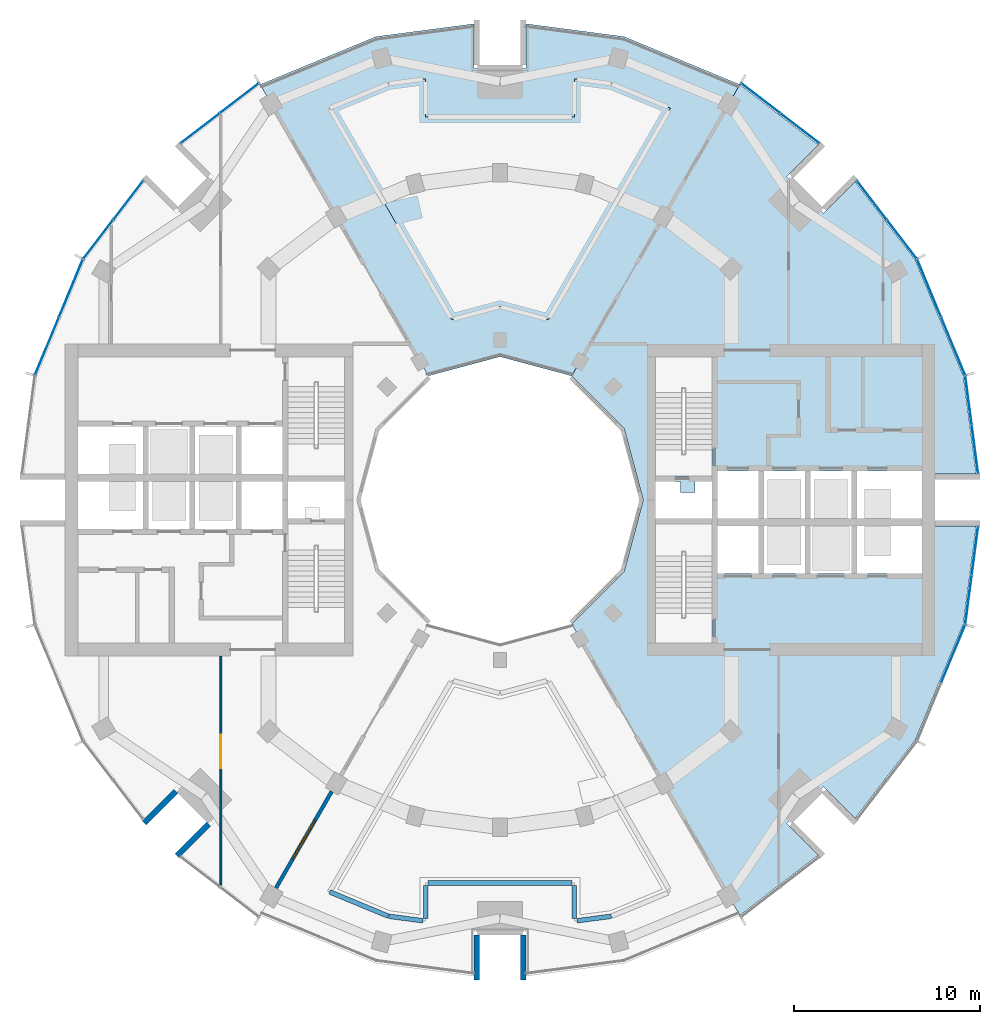
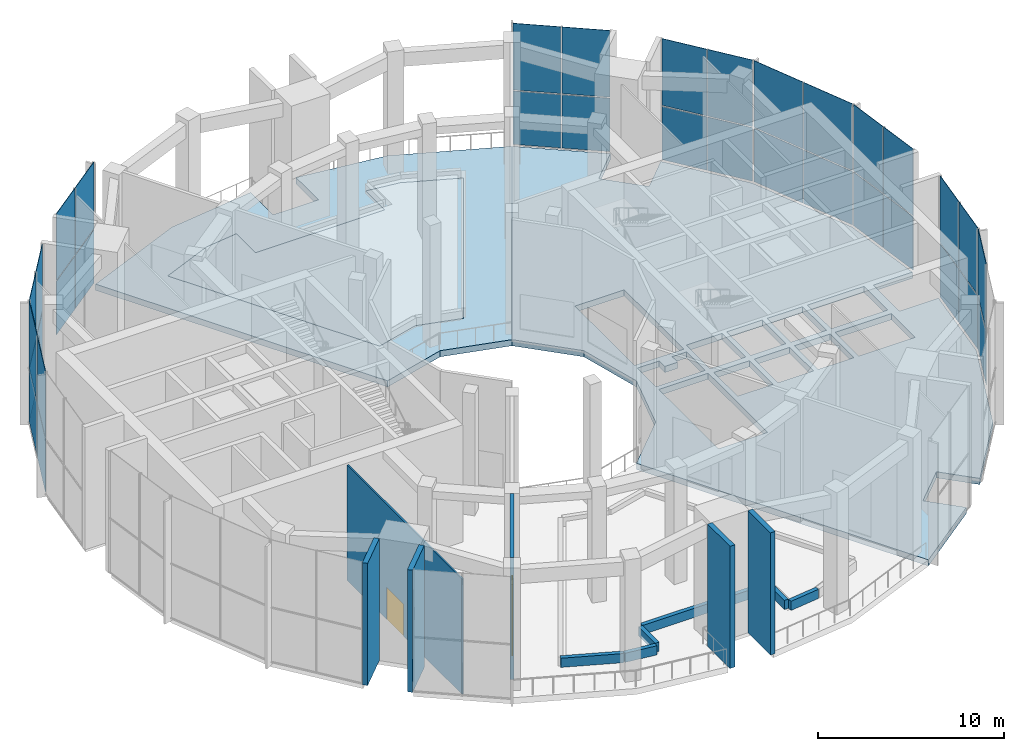
# One storey, part 10 of 18: 34 plates, 12 walls, 3 slabs, 1 door, 1 window, 2 openings, 9 elements without a shape of their own.
"""IFC4 building model written with IfcOpenShell, lengths in metres."""

from ifc_helpers import new_model, si_unit, direction, frame, frame_2d, origin, origin_2d, place, context, subcontext, project, spatial, polyline, rectangle, outline, extrude, material, layer, layer_set, type_object, element, fill, aggregate, save


model = new_model("IFC4")

# Units and contexts
model_context = context("Model", 3, precision=1e-05, world=origin(), true_north=direction((0.0, 1.0)))
body_context = subcontext(model_context, "Body", "Model", "MODEL_VIEW")
ifc_project = project(units=[si_unit("LENGTHUNIT", "METRE"), si_unit("AREAUNIT", "SQUARE_METRE"), si_unit("VOLUMEUNIT", "CUBIC_METRE"), si_unit("PLANEANGLEUNIT", "RADIAN"), si_unit("MASSUNIT", "GRAM", prefix="KILO")], contexts=[model_context])

# Site, building, storey
site_placement = place(None, origin())
site = spatial("IfcSite", under=ifc_project, at=site_placement, CompositionType="ELEMENT")
building_placement = place(site_placement, origin())
building = spatial("IfcBuilding", under=site, at=building_placement, Name="Torre Brocal", CompositionType="ELEMENT")
storey_placement = place(building_placement, frame((0.0, 0.0, 149.699951171875)))
storey = spatial("IfcBuildingStorey", under=building, at=storey_placement, Name="L35", CompositionType="ELEMENT", Elevation=149.699951171875)

# Curtain wall, plates
ifc_material_1 = material(Name="Aluminium and glass", Category="aluminium")
ifc_layer_1 = layer(ifc_material_1, 0.199951171875)
ifc_layer_set_1 = layer_set([ifc_layer_1], Name="Aluminium and glass")
curtain_wall_type = type_object("IfcCurtainWallType", Name="CW-4 CURTAIN WALL 8000 HIGH", PredefinedType="NOTDEFINED", material=ifc_layer_set_1)
curtain_wall_1_placement = place(storey_placement, origin())
curtain_wall_1 = element("IfcCurtainWall", 1, at=curtain_wall_1_placement, inside=storey, type_object=curtain_wall_type, Name="CW-4 RUN 1", PredefinedType="NOTDEFINED")
ifc_material_2 = material(Name="Glass, dark tinted laminated", Category="glass")
ifc_layer_2 = layer(ifc_material_2, 0.030029296875)
ifc_layer_set_2 = layer_set([ifc_layer_2], Name="Glass, dark tinted laminated")
plate_type = type_object("IfcPlateType", Name="CW-4 GLASS PANEL 30", PredefinedType="CURTAIN_PANEL", material=ifc_layer_set_2)
plate_1_placement = place(storey_placement, frame((105.53857421875, 77.73828125, 0.070068359375), z_axis=(0.0, 0.0, 1.0), x_axis=(-0.13052619222, 0.991444861374, 0.0)))
plate_1 = element("IfcPlate", 2, at=plate_1_placement, type_object=plate_type, Name="CW4-1 panel 1.1", PredefinedType="CURTAIN_PANEL", context=body_context, shape_type="SweptSolid", body=[
    extrude(rectangle(XDim=2.599365234375, YDim=0.030029296875, at=origin_2d()), origin(), (0.0, 0.0, 1.0), 3.4951171875),
])
plate_2_placement = place(storey_placement, frame((105.53857421875, 77.73828125, 3.63525390625), z_axis=(0.0, 0.0, 1.0), x_axis=(-0.13052619222, 0.991444861374, 0.0)))
plate_2 = element("IfcPlate", 3, at=plate_2_placement, type_object=plate_type, Name="CW4-1 panel 1.2", PredefinedType="CURTAIN_PANEL", context=body_context, shape_type="SweptSolid", body=[
    extrude(rectangle(XDim=2.599365234375, YDim=0.030029296875, at=origin_2d()), origin(), (0.0, 0.0, 1.0), 4.364990234375),
])
plate_3_placement = place(storey_placement, frame((105.19287109375, 80.364990234375, 0.070068359375), z_axis=(0.0, 0.0, 1.0), x_axis=(-0.13052619222, 0.991444861374, 0.0)))
plate_3 = element("IfcPlate", 4, at=plate_3_placement, type_object=plate_type, Name="CW4-1 panel 2.1", PredefinedType="CURTAIN_PANEL", context=body_context, shape_type="SweptSolid", body=[
    extrude(rectangle(XDim=2.599365234375, YDim=0.030029296875, at=origin_2d()), origin(), (0.0, 0.0, 1.0), 3.4951171875),
])
plate_4_placement = place(storey_placement, frame((105.19287109375, 80.364990234375, 3.63525390625), z_axis=(0.0, 0.0, 1.0), x_axis=(-0.13052619222, 0.991444861374, 0.0)))
plate_4 = element("IfcPlate", 5, at=plate_4_placement, type_object=plate_type, Name="CW4-1 panel 2.2", PredefinedType="CURTAIN_PANEL", context=body_context, shape_type="SweptSolid", body=[
    extrude(rectangle(XDim=2.599365234375, YDim=0.030029296875, at=origin_2d()), origin(), (0.0, 0.0, 1.0), 4.364990234375),
])
aggregate(curtain_wall_1, [plate_1, plate_2, plate_3, plate_4])

curtain_wall_2_placement = place(storey_placement, origin())
curtain_wall_2 = element("IfcCurtainWall", 6, at=curtain_wall_2_placement, inside=storey, type_object=curtain_wall_type, Name="CW-4 RUN 2", PredefinedType="NOTDEFINED")
plate_5_placement = place(storey_placement, frame((104.364990234375, 83.2763671875, 0.070068359375), z_axis=(0.0, 0.0, 1.0), x_axis=(-0.382683432333, 0.923879532525, 0.0)))
plate_5 = element("IfcPlate", 7, at=plate_5_placement, type_object=plate_type, Name="CW4-1 panel 1.1", PredefinedType="CURTAIN_PANEL", context=body_context, shape_type="SweptSolid", body=[
    extrude(rectangle(XDim=3.305419921875, YDim=0.030029296875, at=origin_2d()), origin(), (0.0, 0.0, 1.0), 3.4951171875),
])
plate_6_placement = place(storey_placement, frame((104.364990234375, 83.2763671875, 3.63525390625), z_axis=(0.0, 0.0, 1.0), x_axis=(-0.382683432333, 0.923879532525, 0.0)))
plate_6 = element("IfcPlate", 8, at=plate_6_placement, type_object=plate_type, Name="CW4-1 panel 1.2", PredefinedType="CURTAIN_PANEL", context=body_context, shape_type="SweptSolid", body=[
    extrude(rectangle(XDim=3.305419921875, YDim=0.030029296875, at=origin_2d()), origin(), (0.0, 0.0, 1.0), 4.364990234375),
])
plate_7_placement = place(storey_placement, frame((103.080810546875, 86.37646484375, 0.070068359375), z_axis=(0.0, 0.0, 1.0), x_axis=(-0.382683432333, 0.923879532525, 0.0)))
plate_7 = element("IfcPlate", 9, at=plate_7_placement, type_object=plate_type, Name="CW4-1 panel 2.1", PredefinedType="CURTAIN_PANEL", context=body_context, shape_type="SweptSolid", body=[
    extrude(rectangle(XDim=3.305419921875, YDim=0.030029296875, at=origin_2d()), origin(), (0.0, 0.0, 1.0), 3.4951171875),
])
plate_8_placement = place(storey_placement, frame((103.080810546875, 86.37646484375, 3.63525390625), z_axis=(0.0, 0.0, 1.0), x_axis=(-0.382683432333, 0.923879532525, 0.0)))
plate_8 = element("IfcPlate", 10, at=plate_8_placement, type_object=plate_type, Name="CW4-1 panel 2.2", PredefinedType="CURTAIN_PANEL", context=body_context, shape_type="SweptSolid", body=[
    extrude(rectangle(XDim=3.305419921875, YDim=0.030029296875, at=origin_2d()), origin(), (0.0, 0.0, 1.0), 4.364990234375),
])
aggregate(curtain_wall_2, [plate_5, plate_6, plate_7, plate_8])

curtain_wall_3_placement = place(storey_placement, origin())
curtain_wall_3 = element("IfcCurtainWall", 11, at=curtain_wall_3_placement, inside=storey, type_object=curtain_wall_type, Name="CW-4 RUN 3", PredefinedType="NOTDEFINED")
plate_9_placement = place(storey_placement, frame((101.607666015625, 89.0205078125, 0.070068359375), z_axis=(0.0, 0.0, 1.0), x_axis=(-0.60876142905, 0.793353340259, 0.0)))
plate_9 = element("IfcPlate", 12, at=plate_9_placement, type_object=plate_type, Name="CW4-1 panel 1.1", PredefinedType="CURTAIN_PANEL", context=body_context, shape_type="SweptSolid", body=[
    extrude(rectangle(XDim=2.599365234375, YDim=0.030029296875, at=origin_2d()), origin(), (0.0, 0.0, 1.0), 3.4951171875),
])
plate_10_placement = place(storey_placement, frame((101.607666015625, 89.0205078125, 3.63525390625), z_axis=(0.0, 0.0, 1.0), x_axis=(-0.60876142905, 0.793353340259, 0.0)))
plate_10 = element("IfcPlate", 13, at=plate_10_placement, type_object=plate_type, Name="CW4-1 panel 1.2", PredefinedType="CURTAIN_PANEL", context=body_context, shape_type="SweptSolid", body=[
    extrude(rectangle(XDim=2.599365234375, YDim=0.030029296875, at=origin_2d()), origin(), (0.0, 0.0, 1.0), 4.364990234375),
])
plate_11_placement = place(storey_placement, frame((99.99462890625, 91.122314453125, 0.070068359375), z_axis=(0.0, 0.0, 1.0), x_axis=(-0.60876142905, 0.793353340259, 0.0)))
plate_11 = element("IfcPlate", 14, at=plate_11_placement, type_object=plate_type, Name="CW4-1 panel 2.1", PredefinedType="CURTAIN_PANEL", context=body_context, shape_type="SweptSolid", body=[
    extrude(rectangle(XDim=2.599365234375, YDim=0.030029296875, at=origin_2d()), origin(), (0.0, 0.0, 1.0), 3.4951171875),
])
plate_12_placement = place(storey_placement, frame((99.99462890625, 91.122314453125, 3.63525390625), z_axis=(0.0, 0.0, 1.0), x_axis=(-0.60876142905, 0.793353340259, 0.0)))
plate_12 = element("IfcPlate", 15, at=plate_12_placement, type_object=plate_type, Name="CW4-1 panel 2.2", PredefinedType="CURTAIN_PANEL", context=body_context, shape_type="SweptSolid", body=[
    extrude(rectangle(XDim=2.599365234375, YDim=0.030029296875, at=origin_2d()), origin(), (0.0, 0.0, 1.0), 4.364990234375),
])
aggregate(curtain_wall_3, [plate_9, plate_10, plate_11, plate_12])

curtain_wall_4_placement = place(storey_placement, origin())
curtain_wall_4 = element("IfcCurtainWall", 16, at=curtain_wall_4_placement, inside=storey, type_object=curtain_wall_type, Name="CW-4 RUN 4", PredefinedType="NOTDEFINED")
plate_13_placement = place(storey_placement, frame((96.122314453125, 94.99462890625, 0.070068359375), z_axis=(0.0, 0.0, 1.0), x_axis=(-0.793353340259, 0.60876142905, 0.0)))
plate_13 = element("IfcPlate", 17, at=plate_13_placement, type_object=plate_type, Name="CW4-1 panel 1.1", PredefinedType="CURTAIN_PANEL", context=body_context, shape_type="SweptSolid", body=[
    extrude(rectangle(XDim=2.599365234375, YDim=0.030029296875, at=origin_2d()), origin(), (0.0, 0.0, 1.0), 3.4951171875),
])
plate_14_placement = place(storey_placement, frame((96.122314453125, 94.99462890625, 3.63525390625), z_axis=(0.0, 0.0, 1.0), x_axis=(-0.793353340259, 0.60876142905, 0.0)))
plate_14 = element("IfcPlate", 18, at=plate_14_placement, type_object=plate_type, Name="CW4-1 panel 1.2", PredefinedType="CURTAIN_PANEL", context=body_context, shape_type="SweptSolid", body=[
    extrude(rectangle(XDim=2.599365234375, YDim=0.030029296875, at=origin_2d()), origin(), (0.0, 0.0, 1.0), 4.364990234375),
])
plate_15_placement = place(storey_placement, frame((94.0205078125, 96.607666015625, 0.070068359375), z_axis=(0.0, 0.0, 1.0), x_axis=(-0.793353340259, 0.60876142905, 0.0)))
plate_15 = element("IfcPlate", 19, at=plate_15_placement, type_object=plate_type, Name="CW4-1 panel 2.1", PredefinedType="CURTAIN_PANEL", context=body_context, shape_type="SweptSolid", body=[
    extrude(rectangle(XDim=2.599365234375, YDim=0.030029296875, at=origin_2d()), origin(), (0.0, 0.0, 1.0), 3.4951171875),
])
plate_16_placement = place(storey_placement, frame((94.0205078125, 96.607666015625, 3.63525390625), z_axis=(0.0, 0.0, 1.0), x_axis=(-0.793353340259, 0.60876142905, 0.0)))
plate_16 = element("IfcPlate", 20, at=plate_16_placement, type_object=plate_type, Name="CW4-1 panel 2.2", PredefinedType="CURTAIN_PANEL", context=body_context, shape_type="SweptSolid", body=[
    extrude(rectangle(XDim=2.599365234375, YDim=0.030029296875, at=origin_2d()), origin(), (0.0, 0.0, 1.0), 4.364990234375),
])
aggregate(curtain_wall_4, [plate_13, plate_14, plate_15, plate_16])

curtain_wall_5_placement = place(storey_placement, origin())
curtain_wall_5 = element("IfcCurtainWall", 21, at=curtain_wall_5_placement, inside=storey, type_object=curtain_wall_type, Name="CW-4 RUN 9", PredefinedType="NOTDEFINED")
plate_17_placement = place(storey_placement, frame((65.9794921875, 96.607666015625, 0.070068359375), z_axis=(0.0, 0.0, 1.0), x_axis=(-0.793353340259, -0.60876142905, 0.0)))
plate_17 = element("IfcPlate", 22, at=plate_17_placement, type_object=plate_type, Name="CW4-1 panel 1.1", PredefinedType="CURTAIN_PANEL", context=body_context, shape_type="SweptSolid", body=[
    extrude(rectangle(XDim=2.599365234375, YDim=0.030029296875, at=origin_2d()), origin(), (0.0, 0.0, 1.0), 3.4951171875),
])
plate_18_placement = place(storey_placement, frame((65.9794921875, 96.607666015625, 3.63525390625), z_axis=(0.0, 0.0, 1.0), x_axis=(-0.793353340259, -0.60876142905, 0.0)))
plate_18 = element("IfcPlate", 23, at=plate_18_placement, type_object=plate_type, Name="CW4-1 panel 1.2", PredefinedType="CURTAIN_PANEL", context=body_context, shape_type="SweptSolid", body=[
    extrude(rectangle(XDim=2.599365234375, YDim=0.030029296875, at=origin_2d()), origin(), (0.0, 0.0, 1.0), 4.364990234375),
])
plate_19_placement = place(storey_placement, frame((63.877685546875, 94.99462890625, 0.070068359375), z_axis=(0.0, 0.0, 1.0), x_axis=(-0.793353340259, -0.60876142905, 0.0)))
plate_19 = element("IfcPlate", 24, at=plate_19_placement, type_object=plate_type, Name="CW4-1 panel 2.1", PredefinedType="CURTAIN_PANEL", context=body_context, shape_type="SweptSolid", body=[
    extrude(rectangle(XDim=2.599365234375, YDim=0.030029296875, at=origin_2d()), origin(), (0.0, 0.0, 1.0), 3.4951171875),
])
plate_20_placement = place(storey_placement, frame((63.877685546875, 94.99462890625, 3.63525390625), z_axis=(0.0, 0.0, 1.0), x_axis=(-0.793353340259, -0.60876142905, 0.0)))
plate_20 = element("IfcPlate", 25, at=plate_20_placement, type_object=plate_type, Name="CW4-1 panel 2.2", PredefinedType="CURTAIN_PANEL", context=body_context, shape_type="SweptSolid", body=[
    extrude(rectangle(XDim=2.599365234375, YDim=0.030029296875, at=origin_2d()), origin(), (0.0, 0.0, 1.0), 4.364990234375),
])
aggregate(curtain_wall_5, [plate_17, plate_18, plate_19, plate_20])

curtain_wall_6_placement = place(storey_placement, origin())
curtain_wall_6 = element("IfcCurtainWall", 26, at=curtain_wall_6_placement, inside=storey, type_object=curtain_wall_type, Name="CW-4 RUN 10", PredefinedType="NOTDEFINED")
plate_21_placement = place(storey_placement, frame((60.00537109375, 91.122314453125, 0.070068359375), z_axis=(0.0, 0.0, 1.0), x_axis=(-0.60876142905, -0.793353340259, 0.0)))
plate_21 = element("IfcPlate", 27, at=plate_21_placement, type_object=plate_type, Name="CW4-1 panel 1.1", PredefinedType="CURTAIN_PANEL", context=body_context, shape_type="SweptSolid", body=[
    extrude(rectangle(XDim=2.599365234375, YDim=0.030029296875, at=origin_2d()), origin(), (0.0, 0.0, 1.0), 3.4951171875),
])
plate_22_placement = place(storey_placement, frame((60.00537109375, 91.122314453125, 3.63525390625), z_axis=(0.0, 0.0, 1.0), x_axis=(-0.60876142905, -0.793353340259, 0.0)))
plate_22 = element("IfcPlate", 28, at=plate_22_placement, type_object=plate_type, Name="CW4-1 panel 1.2", PredefinedType="CURTAIN_PANEL", context=body_context, shape_type="SweptSolid", body=[
    extrude(rectangle(XDim=2.599365234375, YDim=0.030029296875, at=origin_2d()), origin(), (0.0, 0.0, 1.0), 4.364990234375),
])
plate_23_placement = place(storey_placement, frame((58.392333984375, 89.0205078125, 0.070068359375), z_axis=(0.0, 0.0, 1.0), x_axis=(-0.60876142905, -0.793353340259, 0.0)))
plate_23 = element("IfcPlate", 29, at=plate_23_placement, type_object=plate_type, Name="CW4-1 panel 2.1", PredefinedType="CURTAIN_PANEL", context=body_context, shape_type="SweptSolid", body=[
    extrude(rectangle(XDim=2.599365234375, YDim=0.030029296875, at=origin_2d()), origin(), (0.0, 0.0, 1.0), 3.4951171875),
])
plate_24_placement = place(storey_placement, frame((58.392333984375, 89.0205078125, 3.63525390625), z_axis=(0.0, 0.0, 1.0), x_axis=(-0.60876142905, -0.793353340259, 0.0)))
plate_24 = element("IfcPlate", 30, at=plate_24_placement, type_object=plate_type, Name="CW4-1 panel 2.2", PredefinedType="CURTAIN_PANEL", context=body_context, shape_type="SweptSolid", body=[
    extrude(rectangle(XDim=2.599365234375, YDim=0.030029296875, at=origin_2d()), origin(), (0.0, 0.0, 1.0), 4.364990234375),
])
aggregate(curtain_wall_6, [plate_21, plate_22, plate_23, plate_24])

curtain_wall_7_placement = place(storey_placement, origin())
curtain_wall_7 = element("IfcCurtainWall", 31, at=curtain_wall_7_placement, inside=storey, type_object=curtain_wall_type, Name="CW-4 RUN 11", PredefinedType="NOTDEFINED")
plate_25_placement = place(storey_placement, frame((56.919189453125, 86.37646484375, 0.070068359375), z_axis=(0.0, 0.0, 1.0), x_axis=(-0.382683432333, -0.923879532525, 0.0)))
plate_25 = element("IfcPlate", 32, at=plate_25_placement, type_object=plate_type, Name="CW4-1 panel 1.1", PredefinedType="CURTAIN_PANEL", context=body_context, shape_type="SweptSolid", body=[
    extrude(rectangle(XDim=3.305419921875, YDim=0.030029296875, at=origin_2d()), origin(), (0.0, 0.0, 1.0), 3.4951171875),
])
plate_26_placement = place(storey_placement, frame((56.919189453125, 86.37646484375, 3.63525390625), z_axis=(0.0, 0.0, 1.0), x_axis=(-0.382683432333, -0.923879532525, 0.0)))
plate_26 = element("IfcPlate", 33, at=plate_26_placement, type_object=plate_type, Name="CW4-1 panel 1.2", PredefinedType="CURTAIN_PANEL", context=body_context, shape_type="SweptSolid", body=[
    extrude(rectangle(XDim=3.305419921875, YDim=0.030029296875, at=origin_2d()), origin(), (0.0, 0.0, 1.0), 4.364990234375),
])
plate_27_placement = place(storey_placement, frame((55.635009765625, 83.2763671875, 0.070068359375), z_axis=(0.0, 0.0, 1.0), x_axis=(-0.382683432333, -0.923879532525, 0.0)))
plate_27 = element("IfcPlate", 34, at=plate_27_placement, type_object=plate_type, Name="CW4-1 panel 2.1", PredefinedType="CURTAIN_PANEL", context=body_context, shape_type="SweptSolid", body=[
    extrude(rectangle(XDim=3.305419921875, YDim=0.030029296875, at=origin_2d()), origin(), (0.0, 0.0, 1.0), 3.4951171875),
])
plate_28_placement = place(storey_placement, frame((55.635009765625, 83.2763671875, 3.63525390625), z_axis=(0.0, 0.0, 1.0), x_axis=(-0.382683432333, -0.923879532525, 0.0)))
plate_28 = element("IfcPlate", 35, at=plate_28_placement, type_object=plate_type, Name="CW4-1 panel 2.2", PredefinedType="CURTAIN_PANEL", context=body_context, shape_type="SweptSolid", body=[
    extrude(rectangle(XDim=3.305419921875, YDim=0.030029296875, at=origin_2d()), origin(), (0.0, 0.0, 1.0), 4.364990234375),
])
aggregate(curtain_wall_7, [plate_25, plate_26, plate_27, plate_28])

curtain_wall_8_placement = place(storey_placement, origin())
curtain_wall_8 = element("IfcCurtainWall", 36, at=curtain_wall_8_placement, inside=storey, type_object=curtain_wall_type, Name="CW-4 RUN 23", PredefinedType="NOTDEFINED")
plate_29_placement = place(storey_placement, frame((104.364990234375, 66.7236328125, 0.070068359375), z_axis=(0.0, 0.0, 1.0), x_axis=(0.382683432333, 0.923879532525, 0.0)))
plate_29 = element("IfcPlate", 37, at=plate_29_placement, type_object=plate_type, Name="CW4-1 panel 2.1", PredefinedType="CURTAIN_PANEL", context=body_context, shape_type="SweptSolid", body=[
    extrude(rectangle(XDim=3.305419921875, YDim=0.030029296875, at=origin_2d()), origin(), (0.0, 0.0, 1.0), 3.4951171875),
])
plate_30_placement = place(storey_placement, frame((104.364990234375, 66.7236328125, 3.63525390625), z_axis=(0.0, 0.0, 1.0), x_axis=(0.382683432333, 0.923879532525, 0.0)))
plate_30 = element("IfcPlate", 38, at=plate_30_placement, type_object=plate_type, Name="CW4-1 panel 2.2", PredefinedType="CURTAIN_PANEL", context=body_context, shape_type="SweptSolid", body=[
    extrude(rectangle(XDim=3.305419921875, YDim=0.030029296875, at=origin_2d()), origin(), (0.0, 0.0, 1.0), 4.364990234375),
])
aggregate(curtain_wall_8, [plate_29, plate_30])

curtain_wall_9_placement = place(storey_placement, origin())
curtain_wall_9 = element("IfcCurtainWall", 39, at=curtain_wall_9_placement, inside=storey, type_object=curtain_wall_type, Name="CW-4 RUN 24", PredefinedType="NOTDEFINED")
plate_31_placement = place(storey_placement, frame((105.19287109375, 69.635009765625, 0.070068359375), z_axis=(0.0, 0.0, 1.0), x_axis=(0.13052619222, 0.991444861374, 0.0)))
plate_31 = element("IfcPlate", 40, at=plate_31_placement, type_object=plate_type, Name="CW4-1 panel 1.1", PredefinedType="CURTAIN_PANEL", context=body_context, shape_type="SweptSolid", body=[
    extrude(rectangle(XDim=2.599365234375, YDim=0.030029296875, at=origin_2d()), origin(), (0.0, 0.0, 1.0), 3.4951171875),
])
plate_32_placement = place(storey_placement, frame((105.19287109375, 69.635009765625, 3.63525390625), z_axis=(0.0, 0.0, 1.0), x_axis=(0.13052619222, 0.991444861374, 0.0)))
plate_32 = element("IfcPlate", 41, at=plate_32_placement, type_object=plate_type, Name="CW4-1 panel 1.2", PredefinedType="CURTAIN_PANEL", context=body_context, shape_type="SweptSolid", body=[
    extrude(rectangle(XDim=2.599365234375, YDim=0.030029296875, at=origin_2d()), origin(), (0.0, 0.0, 1.0), 4.364990234375),
])
plate_33_placement = place(storey_placement, frame((105.53857421875, 72.26171875, 0.070068359375), z_axis=(0.0, 0.0, 1.0), x_axis=(0.13052619222, 0.991444861374, 0.0)))
plate_33 = element("IfcPlate", 42, at=plate_33_placement, type_object=plate_type, Name="CW4-1 panel 2.1", PredefinedType="CURTAIN_PANEL", context=body_context, shape_type="SweptSolid", body=[
    extrude(rectangle(XDim=2.599365234375, YDim=0.030029296875, at=origin_2d()), origin(), (0.0, 0.0, 1.0), 3.4951171875),
])
plate_34_placement = place(storey_placement, frame((105.53857421875, 72.26171875, 3.63525390625), z_axis=(0.0, 0.0, 1.0), x_axis=(0.13052619222, 0.991444861374, 0.0)))
plate_34 = element("IfcPlate", 43, at=plate_34_placement, type_object=plate_type, Name="CW4-1 panel 2.2", PredefinedType="CURTAIN_PANEL", context=body_context, shape_type="SweptSolid", body=[
    extrude(rectangle(XDim=2.599365234375, YDim=0.030029296875, at=origin_2d()), origin(), (0.0, 0.0, 1.0), 4.364990234375),
])
aggregate(curtain_wall_9, [plate_31, plate_32, plate_33, plate_34])

# Slabs
ifc_material_3 = material(Name="Concrete C45", Category="concrete")
ifc_layer_3 = layer(ifc_material_3, 0.39990234375)
ifc_layer_set_3 = layer_set([ifc_layer_3], Name="Concrete C45")
slab_type_1 = type_object("IfcSlabType", Name="GREEN ROOF PLANTING BED SLAB 400 C45", PredefinedType="ROOF", material=ifc_layer_set_3)
slab_1_placement = place(storey_placement, frame((0.0, 0.0, -0.39990234375)))
element("IfcSlab", 44, at=slab_1_placement, inside=storey, type_object=slab_type_1, Name="Slab ST-10", PredefinedType="ROOF", context=body_context, shape_type="SweptSolid", body=[
    extrude(outline(polyline([(76.0, 97.649169921875), (76.0, 95.60009765625), (84.0, 95.60009765625), (84.0, 97.649169921875), (85.998291015625, 97.38623046875), (89.1650390625, 96.074462890625), (82.599365234375, 84.7021484375), (80.0, 85.398681640625), (77.400634765625, 84.7021484375), (70.8349609375, 96.074462890625), (74.001708984375, 97.38623046875), (76.0, 97.649169921875)])), origin(), (0.0, 0.0, 1.0), 0.39990234375),
])
ifc_material_4 = material(Name="Concrete C45", Category="concrete")
ifc_layer_4 = layer(ifc_material_4, 0.39990234375)
ifc_layer_set_4 = layer_set([ifc_layer_4], Name="Concrete C45")
slab_type_2 = type_object("IfcSlabType", Name="PT FLOOR SLAB 400 C45", PredefinedType="FLOOR", material=ifc_layer_set_4)
slab_2_placement = place(storey_placement, frame((0.0, 0.0, -0.39990234375)))
element("IfcSlab", 45, at=slab_2_placement, inside=storey, type_object=slab_type_2, Name="Slab ST-08", PredefinedType="FLOOR", context=body_context, shape_type="SweptSolid", body=[
    extrude(outline(polyline([(92.899169921875, 97.342041015625), (97.121826171875, 94.101806640625), (95.4150390625, 92.394775390625), (97.394775390625, 90.4150390625), (99.101806640625, 92.121826171875), (102.342041015625, 87.899169921875), (104.919189453125, 81.677001953125), (105.614013671875, 76.39990234375), (103.199951171875, 76.39990234375), (103.199951171875, 73.60009765625), (105.614013671875, 73.60009765625), (104.919189453125, 68.322998046875), (102.342041015625, 62.100830078125), (99.101806640625, 57.878173828125), (97.394775390625, 59.5849609375), (95.4150390625, 57.605224609375), (97.121826171875, 55.898193359375), (92.899169921875, 52.657958984375), (83.853515625, 68.325439453125), (86.674560546875, 71.146484375), (87.70703125, 75.0), (86.674560546875, 78.853515625), (83.853515625, 81.674560546875), (92.899169921875, 97.342041015625)]), holes=[polyline([(102.699951171875, 71.050048828125), (102.699951171875, 73.60009765625), (99.199951171875, 73.60009765625), (99.199951171875, 71.050048828125), (102.699951171875, 71.050048828125)]), polyline([(102.699951171875, 74.0), (102.699951171875, 76.550048828125), (99.199951171875, 76.550048828125), (99.199951171875, 74.0), (102.699951171875, 74.0)]), polyline([(98.89990234375, 71.050048828125), (98.89990234375, 73.60009765625), (96.699951171875, 73.60009765625), (96.699951171875, 71.050048828125), (98.89990234375, 71.050048828125)]), polyline([(98.89990234375, 76.550048828125), (96.699951171875, 76.550048828125), (96.699951171875, 74.0), (98.89990234375, 74.0), (98.89990234375, 76.550048828125)]), polyline([(96.39990234375, 74.0), (96.39990234375, 76.550048828125), (94.199951171875, 76.550048828125), (94.199951171875, 74.0), (96.39990234375, 74.0)]), polyline([(96.39990234375, 73.60009765625), (94.199951171875, 73.60009765625), (94.199951171875, 71.050048828125), (96.39990234375, 71.050048828125), (96.39990234375, 73.60009765625)]), polyline([(93.89990234375, 74.0), (93.89990234375, 76.550048828125), (91.699951171875, 76.550048828125), (91.699951171875, 74.0), (93.89990234375, 74.0)]), polyline([(93.89990234375, 73.60009765625), (91.699951171875, 73.60009765625), (91.699951171875, 71.050048828125), (93.89990234375, 71.050048828125), (93.89990234375, 73.60009765625)]), polyline([(91.39990234375, 76.300048828125), (91.39990234375, 82.699951171875), (88.35009765625, 82.699951171875), (88.35009765625, 76.300048828125), (91.39990234375, 76.300048828125)]), polyline([(89.699951171875, 76.0), (88.35009765625, 76.0), (88.35009765625, 74.0), (91.39990234375, 74.0), (91.39990234375, 76.0), (90.5, 76.0), (90.5, 75.39990234375), (89.699951171875, 75.39990234375), (89.699951171875, 76.0)]), polyline([(91.39990234375, 73.699951171875), (88.35009765625, 73.699951171875), (88.35009765625, 67.300048828125), (91.39990234375, 67.300048828125), (91.39990234375, 73.699951171875)])]), origin(), (0.0, 0.0, 1.0), 0.39990234375),
])
ifc_material_5 = material(Name="Concrete C45", Category="concrete")
ifc_layer_5 = layer(ifc_material_5, 0.39990234375)
ifc_layer_set_5 = layer_set([ifc_layer_5], Name="Concrete C45")
slab_type_3 = type_object("IfcSlabType", Name="PT GARDEN SLAB 400 C45", PredefinedType="ROOF", material=ifc_layer_set_5)
slab_3_placement = place(storey_placement, frame((0.0, 0.0, -0.39990234375)))
element("IfcSlab", 46, at=slab_3_placement, inside=storey, type_object=slab_type_3, Name="Slab ST-09", PredefinedType="ROOF", context=body_context, shape_type="SweptSolid", body=[
    extrude(outline(polyline([(78.60009765625, 98.199951171875), (81.39990234375, 98.199951171875), (81.39990234375, 100.614013671875), (86.677001953125, 99.919189453125), (92.899169921875, 97.342041015625), (83.853515625, 81.674560546875), (80.0, 82.70703125), (76.146484375, 81.674560546875), (67.100830078125, 97.342041015625), (73.322998046875, 99.919189453125), (78.60009765625, 100.614013671875), (78.60009765625, 98.199951171875)]), holes=[polyline([(77.400634765625, 84.7021484375), (80.0, 85.398681640625), (82.599365234375, 84.7021484375), (89.1650390625, 96.074462890625), (85.998291015625, 97.38623046875), (84.0, 97.649169921875), (84.0, 95.60009765625), (76.0, 95.60009765625), (76.0, 97.649169921875), (74.001708984375, 97.38623046875), (70.8349609375, 96.074462890625), (77.400634765625, 84.7021484375)])]), origin(), (0.0, 0.0, 1.0), 0.39990234375),
])

# Walls
ifc_material_6 = material(Name="Concrete C70", Category="concrete")
ifc_layer_6 = layer(ifc_material_6, 0.300048828125)
ifc_layer_set_6 = layer_set([ifc_layer_6], Name="Concrete C70")
wall_type_1 = type_object("IfcWallType", Name="NOTCH RETURN WALL 300 C70", PredefinedType="NOTDEFINED", material=ifc_layer_set_6)
for number, where, z_axis, x_axis, name in (
    (47, (62.56982421875, 59.337646484375, 0.0), (0.0, 0.0, 1.0), (-0.707106781187, -0.707106781187, 0.0), "NOTCH RETURN WALL"),
    (48, (64.337646484375, 57.56982421875, 0.0), (0.0, 0.0, 1.0), (-0.707106781187, -0.707106781187, 0.0), "NOTCH RETURN WALL"),
    (49, (78.75, 51.60009765625, 0.0), (0.0, 0.0, 1.0), (0.0, -1.0, 0.0), "NOTCH RETURN WALL"),
    (50, (81.25, 51.60009765625, 0.0), (0.0, 0.0, 1.0), (0.0, -1.0, 0.0), "NOTCH RETURN WALL"),
):
    element("IfcWall", number, at=place(storey_placement, frame(where, z_axis=z_axis, x_axis=x_axis)), inside=storey, type_object=wall_type_1, Name=name, PredefinedType="NOTDEFINED", context=body_context, shape_type="SweptSolid", body=[
        extrude(rectangle(XDim=2.415771484375, YDim=0.300048828125, at=frame_2d((1.2080078125, 0.0))), origin(), (0.0, 0.0, 1.0), 8.0),
    ])

# Wall, opening, door
ifc_material_7 = material(Name="Gypsum board", Category="Gypsum")
ifc_layer_7 = layer(ifc_material_7, 0.10009765625)
ifc_layer_set_7 = layer_set([ifc_layer_7], Name="Gypsum board")
wall_type_2 = type_object("IfcWallType", Name="PARTITION 100", PredefinedType="PARTITIONING", material=ifc_layer_set_7)
wall_1_placement = place(storey_placement, frame((64.988037109375, 54.27001953125, 0.0), z_axis=(0.0, 0.0, 1.0), x_axis=(0.0, 1.0, 0.0)))
wall_1 = element("IfcWall", 51, at=wall_1_placement, inside=storey, type_object=wall_type_2, Name="ROOM PARTITION", PredefinedType="PARTITIONING", context=body_context, shape_type="SweptSolid", body=[
    extrude(rectangle(XDim=12.330078125, YDim=0.10009765625, at=frame_2d((6.1650390625, 0.0))), origin(), (0.0, 0.0, 1.0), 7.550048828125),
])
opening_1_placement = place(wall_1_placement, frame((6.30859375, 0.0, 0.0)))
opening_1 = element("IfcOpeningElement", 52, at=opening_1_placement, cuts=wall_1, Name="Opening SL2-D06", PredefinedType="OPENING", context=body_context, shape_type="SweptSolid", body=[
    extrude(rectangle(XDim=1.800048828125, YDim=2.10009765625, at=frame_2d((0.89990234375, 1.050048828125))), frame((0.0, 0.06005859375, 0.0), z_axis=(0.0, -1.0, 0.0), x_axis=(1.0, 0.0, 0.0)), (0.0, 0.0, 1.0), 0.1201171875),
])
ifc_material_8 = material(Name="Timber", Category="wood")
door_type = type_object("IfcDoorType", Name="DOUBLE DOOR 1800X2100", OperationType="DOUBLE_DOOR_SINGLE_SWING", PredefinedType="DOOR", material=ifc_material_8)
door_placement = place(opening_1_placement, origin())
door = element("IfcDoor", 53, at=door_placement, inside=storey, type_object=door_type, Name="SL2-D06", OperationType="DOUBLE_DOOR_SINGLE_SWING", OverallHeight=2.10009765625, OverallWidth=1.800048828125, PredefinedType="DOOR", context=body_context, shape_type="SweptSolid", body=[
    extrude(rectangle(XDim=1.800048828125, YDim=2.10009765625, at=frame_2d((0.89990234375, 1.050048828125))), frame((0.0, 0.02490234375, 0.0), z_axis=(0.0, -1.0, 0.0), x_axis=(1.0, 0.0, 0.0)), (0.0, 0.0, 1.0), 0.050048828125),
])
fill(opening_1, door)

# Wall, opening, window
ifc_material_9 = material(Name="Concrete C40", Category="concrete")
ifc_layer_8 = layer(ifc_material_9, 0.199951171875)
ifc_layer_set_8 = layer_set([ifc_layer_8], Name="Concrete C40")
wall_type_3 = type_object("IfcWallType", Name="PAVILION BOUNDARY WALL 200", PredefinedType="NOTDEFINED", material=ifc_layer_set_8)
wall_2_placement = place(storey_placement, frame((70.949951171875, 59.324951171875, 0.0), z_axis=(0.0, 0.0, 1.0), x_axis=(-0.500007758305, -0.866020924479, 0.0)))
wall_2 = element("IfcWall", 54, at=wall_2_placement, inside=storey, type_object=wall_type_3, Name="PAVILION BOUNDARY WALL", PredefinedType="NOTDEFINED", context=body_context, shape_type="SweptSolid", body=[
    extrude(rectangle(XDim=6.0, YDim=0.199951171875, at=frame_2d((3.0, 0.0))), origin(), (0.0, 0.0, 1.0), 8.0),
])
opening_2_placement = place(wall_2_placement, frame((1.800048828125, 0.0, 0.300048828125)))
opening_2 = element("IfcOpeningElement", 55, at=opening_2_placement, cuts=wall_2, Name="Opening W4", PredefinedType="OPENING", context=body_context, shape_type="SweptSolid", body=[
    extrude(rectangle(XDim=2.39990234375, YDim=3.60009765625, at=frame_2d((1.199951171875, 1.800048828125))), frame((0.0, 0.10986328125, 0.0), z_axis=(0.0, -1.0, 0.0), x_axis=(1.0, 0.0, 0.0)), (0.0, 0.0, 1.0), 0.219970703125),
])
ifc_material_10 = material(Name="Aluminium and glass", Category="aluminium")
window_type = type_object("IfcWindowType", Name="PAVILION WINDOW 2400X3600", PartitioningType="SINGLE_PANEL", PredefinedType="WINDOW", material=ifc_material_10)
window_placement = place(opening_2_placement, origin())
window = element("IfcWindow", 56, at=window_placement, inside=storey, type_object=window_type, Name="PAVILION WINDOW 2400X3600", OverallHeight=3.60009765625, OverallWidth=2.39990234375, PartitioningType="SINGLE_PANEL", PredefinedType="WINDOW", context=body_context, shape_type="SweptSolid", body=[
    extrude(rectangle(XDim=2.39990234375, YDim=3.60009765625, at=frame_2d((1.199951171875, 1.800048828125))), frame((0.0, 0.030029296875, 0.0), z_axis=(0.0, -1.0, 0.0), x_axis=(1.0, 0.0, 0.0)), (0.0, 0.0, 1.0), 0.06005859375),
])
fill(opening_2, window)

# Walls
ifc_material_11 = material(Name="Concrete C35", Category="concrete")
ifc_layer_9 = layer(ifc_material_11, 0.25)
ifc_layer_set_9 = layer_set([ifc_layer_9], Name="Concrete C35")
wall_type_4 = type_object("IfcWallType", Name="PLANTER WALL 250 THICK 600 HIGH 8", PredefinedType="USERDEFINED", material=ifc_layer_set_9)
wall_3_placement = place(storey_placement, frame((70.8349609375, 53.925537109375, 0.0), z_axis=(0.0, 0.0, 1.0), x_axis=(0.923871147788, -0.38270367425, 0.0)))
element("IfcWall", 57, at=wall_3_placement, inside=storey, type_object=wall_type_4, Name="PLANTER", ObjectType="PLANTER", PredefinedType="USERDEFINED", context=body_context, shape_type="SweptSolid", body=[
    extrude(rectangle(XDim=3.4111328125, YDim=0.25, at=frame_2d((1.70556640625, 0.0))), origin(), (0.0, 0.0, 1.0), 0.60009765625),
])
wall_4_placement = place(storey_placement, frame((74.01806640625, 52.61181640625, 0.0), z_axis=(0.0, 0.0, 1.0), x_axis=(0.991436829887, -0.130587182926, 0.0)))
element("IfcWall", 58, at=wall_4_placement, inside=storey, type_object=wall_type_4, Name="PLANTER", ObjectType="PLANTER", PredefinedType="USERDEFINED", context=body_context, shape_type="SweptSolid", body=[
    extrude(rectangle(XDim=1.8564453125, YDim=0.25, at=frame_2d((0.92822265625, 0.0))), origin(), (0.0, 0.0, 1.0), 0.60009765625),
])
wall_5_placement = place(storey_placement, frame((76.0, 52.493408203125, 0.0), z_axis=(0.0, 0.0, 1.0), x_axis=(0.0, 1.0, 0.0)))
element("IfcWall", 59, at=wall_5_placement, inside=storey, type_object=wall_type_4, Name="PLANTER", ObjectType="PLANTER", PredefinedType="USERDEFINED", context=body_context, shape_type="SweptSolid", body=[
    extrude(rectangle(XDim=1.781494140625, YDim=0.25, at=frame_2d((0.890625, 0.0))), origin(), (0.0, 0.0, 1.0), 0.60009765625),
])
wall_6_placement = place(storey_placement, frame((76.125, 54.39990234375, 0.0), z_axis=(0.0, 0.0, 1.0), x_axis=(1.0, 0.0, 0.0)))
element("IfcWall", 60, at=wall_6_placement, inside=storey, type_object=wall_type_4, Name="PLANTER", ObjectType="PLANTER", PredefinedType="USERDEFINED", context=body_context, shape_type="SweptSolid", body=[
    extrude(rectangle(XDim=7.75, YDim=0.25, at=frame_2d((3.875, 0.0))), origin(), (0.0, 0.0, 1.0), 0.60009765625),
])
wall_7_placement = place(storey_placement, frame((84.0, 54.27490234375, 0.0), z_axis=(0.0, 0.0, 1.0), x_axis=(0.0, -1.0, 0.0)))
element("IfcWall", 61, at=wall_7_placement, inside=storey, type_object=wall_type_4, Name="PLANTER", ObjectType="PLANTER", PredefinedType="USERDEFINED", context=body_context, shape_type="SweptSolid", body=[
    extrude(rectangle(XDim=1.781494140625, YDim=0.25, at=frame_2d((0.890625, 0.0))), origin(), (0.0, 0.0, 1.0), 0.60009765625),
])
wall_8_placement = place(storey_placement, frame((84.141357421875, 52.369384765625, 0.0), z_axis=(0.0, 0.0, 1.0), x_axis=(0.991436829887, 0.130587182926, 0.0)))
element("IfcWall", 62, at=wall_8_placement, inside=storey, type_object=wall_type_4, Name="PLANTER", ObjectType="PLANTER", PredefinedType="USERDEFINED", context=body_context, shape_type="SweptSolid", body=[
    extrude(rectangle(XDim=1.8564453125, YDim=0.25, at=frame_2d((0.92822265625, 0.0))), origin(), (0.0, 0.0, 1.0), 0.60009765625),
])

save(model, "model.ifc")
